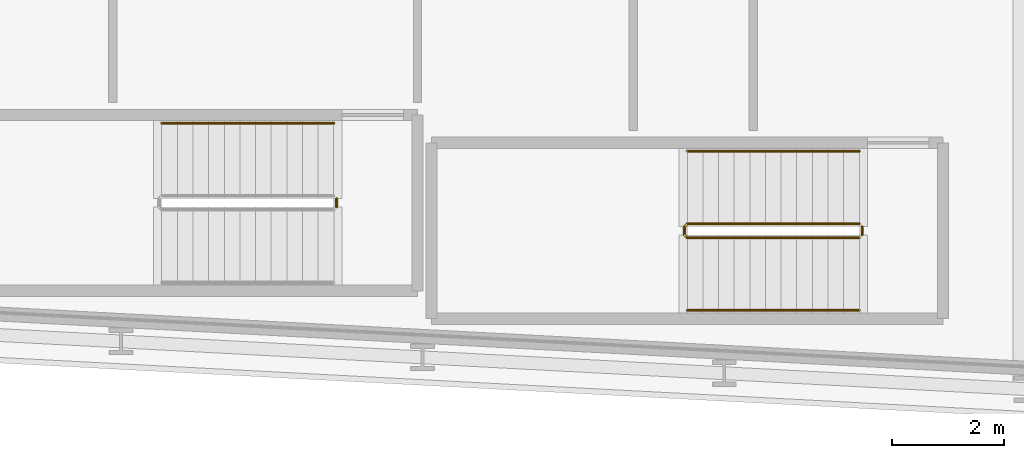
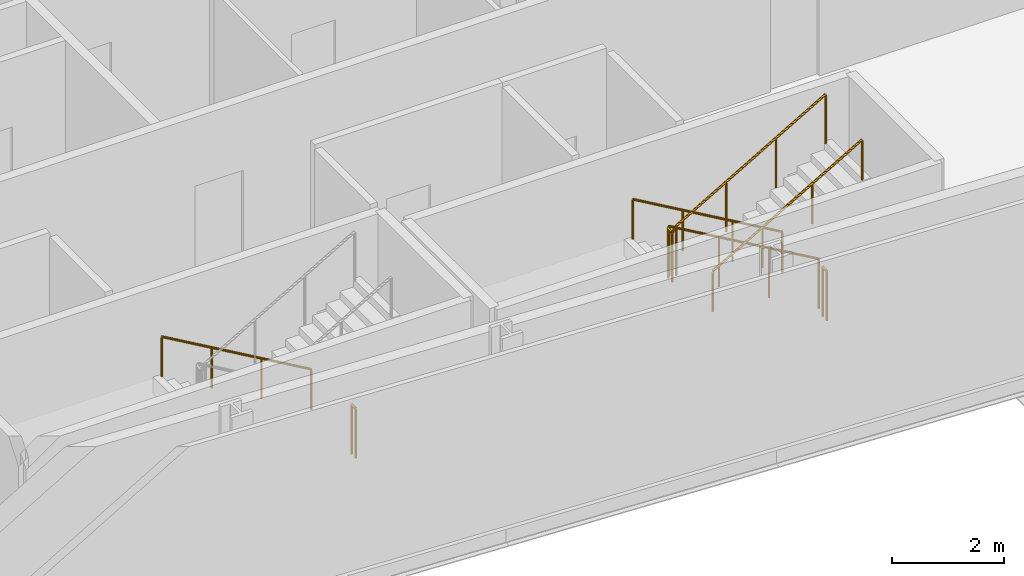
# One storey, part 24 of 27: 6 railings.
"""IFC4 building model written with IfcOpenShell, lengths in metres."""

from ifc_helpers import new_model, si_unit, direction, frame, origin, origin_2d, place, context, subcontext, project, spatial, circle, extrude, material, type_object, element, save


model = new_model("IFC4")

# Units and contexts
model_context = context("Model", 3, precision=1e-05, world=origin(), true_north=direction((0.0, 1.0)))
body_context = subcontext(model_context, "Body", "Model", "MODEL_VIEW")
ifc_project = project(units=[si_unit("LENGTHUNIT", "METRE"), si_unit("AREAUNIT", "SQUARE_METRE"), si_unit("VOLUMEUNIT", "CUBIC_METRE"), si_unit("PLANEANGLEUNIT", "RADIAN"), si_unit("MASSUNIT", "GRAM", prefix="KILO")], contexts=[model_context])

# Site, building, storey
site_placement = place(None, origin())
site = spatial("IfcSite", under=ifc_project, at=site_placement, CompositionType="ELEMENT")
building_placement = place(site_placement, origin())
building = spatial("IfcBuilding", under=site, at=building_placement, Name="Kheshtan School and Residences Tower", CompositionType="ELEMENT")
storey_placement = place(building_placement, frame((0.0, 0.0, 57.800048828125)))
storey = spatial("IfcBuildingStorey", under=building, at=storey_placement, Name="L13", CompositionType="ELEMENT", Elevation=57.800048828125)

# Railings
ifc_material_1 = material(Name="Stainless steel balustrade", Category="steel")
railing_type_1 = type_object("IfcRailingType", Name="Stair guard 1100", PredefinedType="GUARDRAIL", material=ifc_material_1)
railing_1_placement = place(storey_placement, frame((87.820068359375, 23.949951171875, 0.162353515625)))
element("IfcRailing", 1, at=railing_1_placement, inside=storey, type_object=railing_type_1, Name="L13 ST4 stair guard 1", PredefinedType="GUARDRAIL", context=body_context, shape_type="SweptSolid", body=[
    extrude(circle(Radius=0.02392578125, at=origin_2d()), frame((0.0, 0.0, 1.076171875), z_axis=(-0.864890721111, 0.0, 0.501960198159), x_axis=(0.0, -1.0, 0.0)), (0.0, 0.0, 1.0), 3.561279296875),
    extrude(circle(Radius=0.02392578125, at=origin_2d()), frame((-3.080078125, 0.0, 2.86376953125), z_axis=(-0.707106781187, -0.707106781187, 0.0), x_axis=(0.707106781187, -0.707106781187, 0.0)), (0.0, 0.0, 1.0), 0.07080078125),
    extrude(circle(Radius=0.02392578125, at=origin_2d()), frame((-3.130126953125, -0.050048828125, 2.86376953125), z_axis=(0.0, -1.0, 0.0), x_axis=(1.0, 0.0, 0.0)), (0.0, 0.0, 1.0), 0.14990234375),
    extrude(circle(Radius=0.02392578125, at=origin_2d()), frame((-3.130126953125, -0.199951171875, 2.86376953125), z_axis=(0.282227285176, -0.282227285176, 0.916894497205), x_axis=(0.707106781187, 0.707106781187, 0.0)), (0.0, 0.0, 1.0), 0.17724609375),
    extrude(circle(Radius=0.02392578125, at=origin_2d()), frame((-3.080078125, -0.25, 3.0263671875), z_axis=(0.864920483161, 0.0, 0.501908913857), x_axis=(0.0, 1.0, 0.0)), (0.0, 0.0, 1.0), 3.56103515625),
    extrude(circle(Radius=0.02099609375, at=origin_2d()), origin(), (0.0, 0.0, 1.0), 1.052001953125),
    extrude(circle(Radius=0.02099609375, at=origin_2d()), frame((-1.026611328125, 0.0, 0.595947265625)), (0.0, 0.0, 1.0), 1.052001953125),
    extrude(circle(Radius=0.02099609375, at=origin_2d()), frame((-2.053466796875, 0.0, 1.191650390625)), (0.0, 0.0, 1.0), 1.052001953125),
    extrude(circle(Radius=0.02099609375, at=origin_2d()), frame((-3.080078125, 0.0, 1.78759765625)), (0.0, 0.0, 1.0), 1.052001953125),
    extrude(circle(Radius=0.02099609375, at=origin_2d()), frame((-3.130126953125, -0.050048828125, 1.78759765625)), (0.0, 0.0, 1.0), 1.052001953125),
    extrude(circle(Radius=0.02099609375, at=origin_2d()), frame((-3.130126953125, -0.199951171875, 1.78759765625)), (0.0, 0.0, 1.0), 1.052001953125),
    extrude(circle(Radius=0.02099609375, at=origin_2d()), frame((-3.080078125, -0.25, 1.9501953125)), (0.0, 0.0, 1.0), 1.052001953125),
    extrude(circle(Radius=0.02099609375, at=origin_2d()), frame((-2.053466796875, -0.25, 2.5458984375)), (0.0, 0.0, 1.0), 1.052001953125),
    extrude(circle(Radius=0.02099609375, at=origin_2d()), frame((-1.026611328125, -0.25, 3.141845703125)), (0.0, 0.0, 1.0), 1.052001953125),
    extrude(circle(Radius=0.02099609375, at=origin_2d()), frame((0.0, -0.25, 3.737548828125)), (0.0, 0.0, 1.0), 1.052001953125),
])
for number, where, name in (
    (2, (87.8701171875, 23.89990234375, 0.0), "L13 ST4 stair guard 2"),
    (3, (78.4599609375, 24.39990234375, 0.0), "L13 ST5 stair guard 2"),
):
    element("IfcRailing", number, at=place(storey_placement, frame(where)), inside=storey, type_object=railing_type_1, Name=name, PredefinedType="GUARDRAIL", context=body_context, shape_type="SweptSolid", body=[
        extrude(circle(Radius=0.02392578125, at=origin_2d()), frame((0.0, 0.0, 1.076171875), z_axis=(0.0, -1.0, 0.0), x_axis=(1.0, 0.0, 0.0)), (0.0, 0.0, 1.0), 0.14990234375),
        extrude(circle(Radius=0.02099609375, at=origin_2d()), origin(), (0.0, 0.0, 1.0), 1.052001953125),
        extrude(circle(Radius=0.02099609375, at=origin_2d()), frame((0.0, -0.14990234375, 0.0)), (0.0, 0.0, 1.0), 1.052001953125),
    ])
ifc_material_2 = material(Name="Stainless steel handrail", Category="steel")
railing_type_2 = type_object("IfcRailingType", Name="Stair handrail 900", PredefinedType="HANDRAIL", material=ifc_material_2)
railing_2_placement = place(storey_placement, frame((87.820068359375, 25.25, 0.162353515625)))
element("IfcRailing", 4, at=railing_2_placement, inside=storey, type_object=railing_type_2, Name="L13 ST4 stair handrail 1", PredefinedType="HANDRAIL", context=body_context, shape_type="SweptSolid", body=[
    extrude(circle(Radius=0.02392578125, at=origin_2d()), frame((0.0, 0.0, 0.8759765625), z_axis=(-0.864890721111, 0.0, 0.501960198159), x_axis=(0.0, -1.0, 0.0)), (0.0, 0.0, 1.0), 3.561279296875),
    extrude(circle(Radius=0.02099609375, at=origin_2d()), origin(), (0.0, 0.0, 1.0), 0.851806640625),
    extrude(circle(Radius=0.02099609375, at=origin_2d()), frame((-1.026611328125, 0.0, 0.595947265625)), (0.0, 0.0, 1.0), 0.851806640625),
    extrude(circle(Radius=0.02099609375, at=origin_2d()), frame((-2.053466796875, 0.0, 1.191650390625)), (0.0, 0.0, 1.0), 0.851806640625),
    extrude(circle(Radius=0.02099609375, at=origin_2d()), frame((-3.080078125, 0.0, 1.78759765625)), (0.0, 0.0, 1.0), 0.851806640625),
])
railing_3_placement = place(storey_placement, frame((84.739990234375, 22.39990234375, 2.112548828125)))
element("IfcRailing", 5, at=railing_3_placement, inside=storey, type_object=railing_type_2, Name="L13 ST4 stair handrail 2", PredefinedType="HANDRAIL", context=body_context, shape_type="SweptSolid", body=[
    extrude(circle(Radius=0.02392578125, at=origin_2d()), frame((0.0, 0.0, 0.8759765625), z_axis=(0.864920483161, 0.0, 0.501908913857), x_axis=(0.0, 1.0, 0.0)), (0.0, 0.0, 1.0), 3.56103515625),
    extrude(circle(Radius=0.02099609375, at=origin_2d()), origin(), (0.0, 0.0, 1.0), 0.851806640625),
    extrude(circle(Radius=0.02099609375, at=origin_2d()), frame((1.026611328125, 0.0, 0.595703125)), (0.0, 0.0, 1.0), 0.851806640625),
    extrude(circle(Radius=0.02099609375, at=origin_2d()), frame((2.053466796875, 0.0, 1.191650390625)), (0.0, 0.0, 1.0), 0.851806640625),
    extrude(circle(Radius=0.02099609375, at=origin_2d()), frame((3.080078125, 0.0, 1.787353515625)), (0.0, 0.0, 1.0), 0.851806640625),
])
railing_4_placement = place(storey_placement, frame((78.409912109375, 25.75, 0.162353515625)))
element("IfcRailing", 6, at=railing_4_placement, inside=storey, type_object=railing_type_2, Name="L13 ST5 stair handrail 1", PredefinedType="HANDRAIL", context=body_context, shape_type="SweptSolid", body=[
    extrude(circle(Radius=0.02392578125, at=origin_2d()), frame((0.0, 0.0, 0.8759765625), z_axis=(-0.864873446163, 0.0, 0.501989962173), x_axis=(0.0, -1.0, 0.0)), (0.0, 0.0, 1.0), 3.56103515625),
    extrude(circle(Radius=0.02099609375, at=origin_2d()), origin(), (0.0, 0.0, 1.0), 0.851806640625),
    extrude(circle(Radius=0.02099609375, at=origin_2d()), frame((-1.026611328125, 0.0, 0.595947265625)), (0.0, 0.0, 1.0), 0.851806640625),
    extrude(circle(Radius=0.02099609375, at=origin_2d()), frame((-2.05322265625, 0.0, 1.191650390625)), (0.0, 0.0, 1.0), 0.851806640625),
    extrude(circle(Radius=0.02099609375, at=origin_2d()), frame((-3.079833984375, 0.0, 1.78759765625)), (0.0, 0.0, 1.0), 0.851806640625),
])

save(model, "model.ifc")
